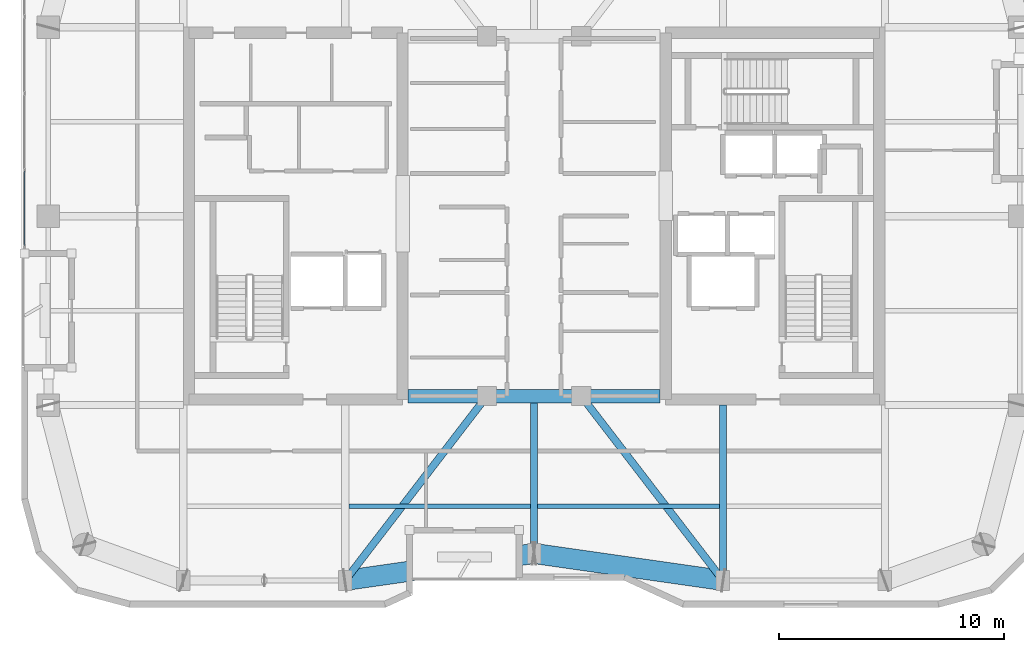
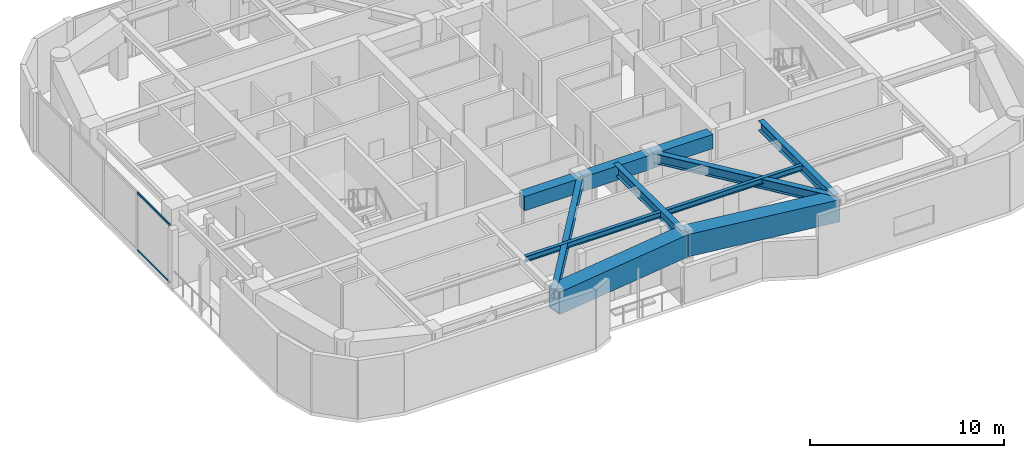
# One storey, part 3 of 15: 11 beams, 2 members, 1 element without a shape of its own.
"""IFC4 building model written with IfcOpenShell, lengths in metres."""

from ifc_helpers import new_model, si_unit, direction, frame, origin, origin_2d, place, context, subcontext, project, spatial, rectangle, hollow_rectangle, i_section, extrude, material, layer, layer_set, material_profile, profile_set, type_object, element, aggregate, save


model = new_model("IFC4")

# Units and contexts
model_context = context("Model", 3, precision=1e-05, world=origin(), true_north=direction((0.0, 1.0)))
body_context = subcontext(model_context, "Body", "Model", "MODEL_VIEW")
ifc_project = project(units=[si_unit("LENGTHUNIT", "METRE"), si_unit("AREAUNIT", "SQUARE_METRE"), si_unit("VOLUMEUNIT", "CUBIC_METRE"), si_unit("PLANEANGLEUNIT", "RADIAN"), si_unit("MASSUNIT", "GRAM", prefix="KILO")], contexts=[model_context])

# Site, building, storey
site_placement = place(None, origin())
site = spatial("IfcSite", under=ifc_project, at=site_placement, CompositionType="ELEMENT")
building_placement = place(site_placement, origin())
building = spatial("IfcBuilding", under=site, at=building_placement, Name="Kiyonajd Concourse Tower", CompositionType="ELEMENT")
storey_placement = place(building_placement, frame((0.0, 0.0, 270.60009765625)))
storey = spatial("IfcBuildingStorey", under=building, at=storey_placement, Name="L68", CompositionType="ELEMENT", Elevation=270.60009765625)

# Beams
ifc_material_1 = material(Name="Concrete C60/75", Category="concrete")
ifc_material_profile_1 = material_profile(ifc_material_1, rectangle(XDim=0.60009765625, YDim=0.89990234375, at=origin_2d()), Name="RCBM-600x900")
ifc_profile_set_1 = profile_set([ifc_material_profile_1], Name="Concrete C60/75")
beam_type_1 = type_object("IfcBeamType", Name="BM-COUP-900", PredefinedType="LINTEL", material=ifc_profile_set_1)
beam_1_placement = place(storey_placement, frame((42.39990234375, 28.0, 3.22998046875), z_axis=(1.0, 0.0, 0.0), x_axis=(0.0, 1.0, 0.0)))
element("IfcBeam", 1, at=beam_1_placement, inside=storey, type_object=beam_type_1, Name="L68 Core Coupling Beam S1", PredefinedType="LINTEL", context=body_context, shape_type="SweptSolid", body=[
    extrude(rectangle(XDim=0.60009765625, YDim=0.89990234375, at=origin_2d()), origin(), (0.0, 0.0, 1.0), 3.5),
])
beam_2_placement = place(storey_placement, frame((45.89990234375, 28.0, 3.22998046875), z_axis=(1.0, 0.0, 0.0), x_axis=(0.0, 1.0, 0.0)))
element("IfcBeam", 2, at=beam_2_placement, inside=storey, type_object=beam_type_1, Name="L68 Core Coupling Beam S2", PredefinedType="LINTEL", context=body_context, shape_type="SweptSolid", body=[
    extrude(rectangle(XDim=0.60009765625, YDim=0.89990234375, at=origin_2d()), origin(), (0.0, 0.0, 1.0), 4.2001953125),
])
beam_3_placement = place(storey_placement, frame((50.10009765625, 28.0, 3.22998046875), z_axis=(1.0, 0.0, 0.0), x_axis=(0.0, 1.0, 0.0)))
element("IfcBeam", 3, at=beam_3_placement, inside=storey, type_object=beam_type_1, Name="L68 Core Coupling Beam S3", PredefinedType="LINTEL", context=body_context, shape_type="SweptSolid", body=[
    extrude(rectangle(XDim=0.60009765625, YDim=0.89990234375, at=origin_2d()), origin(), (0.0, 0.0, 1.0), 3.5),
])
ifc_material_2 = material(Name="Steel ASTM A992 Grade 50", Category="steel")
ifc_material_profile_2 = material_profile(ifc_material_2, i_section(OverallWidth=0.205078125, OverallDepth=0.35400390625, WebThickness=0.009521484375, FlangeThickness=0.016845703125, at=origin_2d()), Name="W360X79")
ifc_profile_set_2 = profile_set([ifc_material_profile_2], Name="Steel ASTM A992 Grade 50")
beam_type_2 = type_object("IfcBeamType", Name="BM-JST-360", PredefinedType="JOIST", material=ifc_profile_set_2)
for number, where, z_axis, x_axis, name in (
    (4, (39.761962890625, 23.10009765625, 3.5029296875), (1.0, 0.0, 0.0), (0.0, 1.0, 0.0), "L68 Secondary Floor Joist"),
    (5, (48.162109375, 23.10009765625, 3.5029296875), (1.0, 0.0, 0.0), (0.0, 1.0, 0.0), "L68 Secondary Floor Joist"),
):
    element("IfcBeam", number, at=place(storey_placement, frame(where, z_axis=z_axis, x_axis=x_axis)), inside=storey, type_object=beam_type_2, Name=name, PredefinedType="JOIST", context=body_context, shape_type="SweptSolid", body=[
        extrude(i_section(OverallWidth=0.205078125, OverallDepth=0.35400390625, WebThickness=0.009521484375, FlangeThickness=0.016845703125, at=origin_2d()), origin(), (0.0, 0.0, 1.0), 8.075927734375),
    ])
ifc_material_profile_3 = material_profile(ifc_material_2, i_section(OverallWidth=0.326904296875, OverallDepth=0.6220703125, WebThickness=0.015380859375, FlangeThickness=0.0244140625, at=origin_2d()), Name="W610X195")
ifc_profile_set_3 = profile_set([ifc_material_profile_3], Name="Steel ASTM A992 Grade 50")
beam_type_3 = type_object("IfcBeamType", Name="BM-TWR-610A", PredefinedType="BEAM", material=ifc_profile_set_3)
for number, where, z_axis, x_axis, name in (
    (6, (39.60009765625, 19.800048828125, 3.368896484375), (0.609233709922, 0.792990722956, 0.0), (-0.792990722956, 0.609233709922, 0.0), "L68 Core Tie Girder"),
    (7, (50.10009765625, 28.0, 3.368896484375), (0.609233709922, -0.792990722956, 0.0), (0.792990722956, 0.609233709922, 0.0), "L68 Core Tie Girder"),
):
    element("IfcBeam", number, at=place(storey_placement, frame(where, z_axis=z_axis, x_axis=x_axis)), inside=storey, type_object=beam_type_3, Name=name, PredefinedType="BEAM", context=body_context, shape_type="SweptSolid", body=[
        extrude(i_section(OverallWidth=0.326904296875, OverallDepth=0.6220703125, WebThickness=0.015380859375, FlangeThickness=0.0244140625, at=origin_2d()), origin(), (0.0, 0.0, 1.0), 10.340576171875),
    ])
ifc_material_profile_4 = material_profile(ifc_material_2, i_section(OverallWidth=0.323974609375, OverallDepth=0.611083984375, WebThickness=0.0126953125, FlangeThickness=0.01904296875, at=origin_2d()), Name="W610X155")
ifc_profile_set_4 = profile_set([ifc_material_profile_4], Name="Steel ASTM A992 Grade 50")
beam_type_4 = type_object("IfcBeamType", Name="BM-TWR-610B", PredefinedType="BEAM", material=ifc_profile_set_4)
beam_4_placement = place(storey_placement, frame((56.39990234375, 19.800048828125, 3.37451171875), z_axis=(0.0, 1.0, 0.0), x_axis=(-1.0, 0.0, 0.0)))
element("IfcBeam", 8, at=beam_4_placement, inside=storey, type_object=beam_type_4, Name="L68 South Lease Girder", PredefinedType="BEAM", context=body_context, shape_type="SweptSolid", body=[
    extrude(i_section(OverallWidth=0.323974609375, OverallDepth=0.611083984375, WebThickness=0.0126953125, FlangeThickness=0.01904296875, at=origin_2d()), origin(), (0.0, 0.0, 1.0), 7.800048828125),
])
beam_5_placement = place(storey_placement, frame((48.0, 21.0, 3.37451171875), z_axis=(0.0, 1.0, 0.0), x_axis=(-1.0, 0.0, 0.0)))
element("IfcBeam", 9, at=beam_5_placement, inside=storey, type_object=beam_type_4, Name="L68 South Ribbon Girder", PredefinedType="BEAM", context=body_context, shape_type="SweptSolid", body=[
    extrude(i_section(OverallWidth=0.323974609375, OverallDepth=0.611083984375, WebThickness=0.0126953125, FlangeThickness=0.01904296875, at=origin_2d()), origin(), (0.0, 0.0, 1.0), 7.0),
])
ifc_material_3 = material(Name="Steel ASTM A572 Grade 50", Category="steel")
ifc_material_profile_5 = material_profile(ifc_material_3, hollow_rectangle(XDim=0.89990234375, YDim=1.39990234375, WallThickness=0.070068359375, at=origin_2d()), Name="BOX-1400x900x70")
ifc_profile_set_5 = profile_set([ifc_material_profile_5], Name="Steel ASTM A572 Grade 50")
beam_type_5 = type_object("IfcBeamType", Name="BM-XFER-1400", PredefinedType="BEAM", material=ifc_profile_set_5)
for number, where, z_axis, x_axis, name in (
    (10, (39.60009765625, 19.800048828125, 2.97998046875), (0.989950069105, 0.141417328072, 0.0), (-0.141417328072, 0.989950069105, 0.0), "L68 Perimeter Bundled Tube Spandrel"),
    (11, (48.0, 21.0, 2.97998046875), (0.989950069105, -0.141417328072, 0.0), (0.141417328072, 0.989950069105, 0.0), "L68 Perimeter Bundled Tube Spandrel"),
):
    element("IfcBeam", number, at=place(storey_placement, frame(where, z_axis=z_axis, x_axis=x_axis)), inside=storey, type_object=beam_type_5, Name=name, PredefinedType="BEAM", context=body_context, shape_type="SweptSolid", body=[
        extrude(hollow_rectangle(XDim=0.89990234375, YDim=1.39990234375, WallThickness=0.070068359375, at=origin_2d()), origin(), (0.0, 0.0, 1.0), 8.485107421875),
    ])

# Curtain wall, members
ifc_material_4 = material(Name="Thermally Broken Anodised Aluminium", Category="aluminium")
ifc_layer = layer(ifc_material_4, 0.179931640625)
ifc_layer_set = layer_set([ifc_layer], Name="Thermally Broken Anodised Aluminium")
curtain_wall_type = type_object("IfcCurtainWallType", Name="CW-SYS-04", PredefinedType="NOTDEFINED", material=ifc_layer_set)
curtain_wall_placement = place(storey_placement, origin())
curtain_wall = element("IfcCurtainWall", 12, at=curtain_wall_placement, inside=storey, type_object=curtain_wall_type, Name="L68 Unitised Curtain Wall CW4", PredefinedType="NOTDEFINED")
ifc_material_profile_6 = material_profile(ifc_material_4, hollow_rectangle(XDim=0.06494140625, YDim=0.139892578125, WallThickness=0.00390625, at=origin_2d()), Name="TRAN-65x140")
ifc_profile_set_6 = profile_set([ifc_material_profile_6], Name="Thermally Broken Anodised Aluminium")
member_type = type_object("IfcMemberType", Name="MB-CW-TRAN1", PredefinedType="USERDEFINED", material=ifc_profile_set_6)
member_1_placement = place(storey_placement, frame((25.340087890625, 34.695068359375, 0.032470703125), z_axis=(0.0, 1.0, 0.0), x_axis=(-1.0, 0.0, 0.0)))
member_1 = element("IfcMember", 13, at=member_1_placement, type_object=member_type, Name="CW4 transom 1.1", ObjectType="TRANSOM", PredefinedType="USERDEFINED", context=body_context, shape_type="SweptSolid", body=[
    extrude(hollow_rectangle(XDim=0.06494140625, YDim=0.139892578125, WallThickness=0.00390625, at=origin_2d()), origin(), (0.0, 0.0, 1.0), 3.31787109375),
])
member_2_placement = place(storey_placement, frame((25.340087890625, 34.695068359375, 3.6474609375), z_axis=(0.0, 1.0, 0.0), x_axis=(-1.0, 0.0, 0.0)))
member_2 = element("IfcMember", 14, at=member_2_placement, type_object=member_type, Name="CW4 transom 1.2", ObjectType="TRANSOM", PredefinedType="USERDEFINED", context=body_context, shape_type="SweptSolid", body=[
    extrude(hollow_rectangle(XDim=0.06494140625, YDim=0.139892578125, WallThickness=0.00390625, at=origin_2d()), origin(), (0.0, 0.0, 1.0), 3.31787109375),
])
aggregate(curtain_wall, [member_1, member_2])

save(model, "model.ifc")
